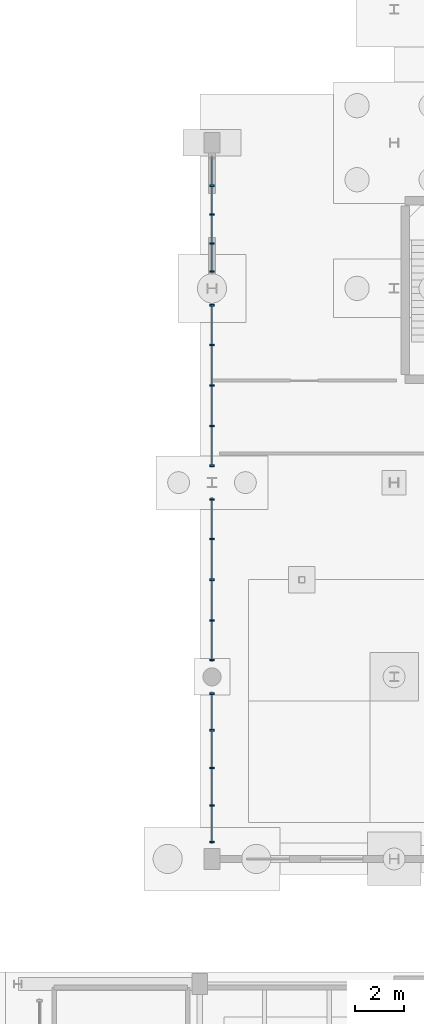
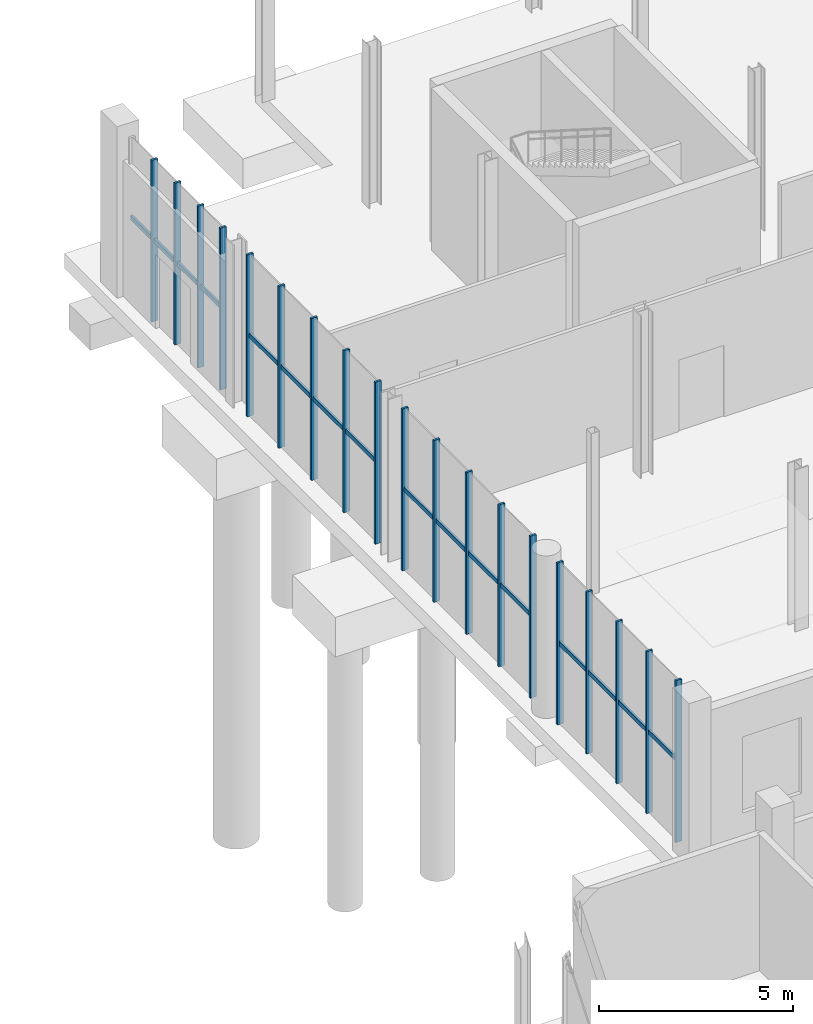
# One storey, part 38 of 87: 35 members, 4 elements without a shape of their own.
"""IFC4 building model written with IfcOpenShell, lengths in metres."""

from ifc_helpers import new_model, si_unit, direction, frame, origin, origin_2d, place, context, subcontext, project, spatial, rectangle, extrude, material, material_profile, profile_set, type_object, element, aggregate, save


model = new_model("IFC4")

# Units and contexts
model_context = context("Model", 3, precision=1e-05, world=origin(), true_north=direction((0.0, 1.0)))
body_context = subcontext(model_context, "Body", "Model", "MODEL_VIEW")
ifc_project = project(units=[si_unit("LENGTHUNIT", "METRE"), si_unit("AREAUNIT", "SQUARE_METRE"), si_unit("VOLUMEUNIT", "CUBIC_METRE"), si_unit("PLANEANGLEUNIT", "RADIAN"), si_unit("MASSUNIT", "GRAM", prefix="KILO")], contexts=[model_context])

# Site, building, storey
site_placement = place(None, origin())
site = spatial("IfcSite", under=ifc_project, at=site_placement, CompositionType="ELEMENT")
building_placement = place(site_placement, origin())
building = spatial("IfcBuilding", under=site, at=building_placement, Name="Brisemont Oceanarium", CompositionType="ELEMENT")
storey_placement = place(building_placement, origin())
storey = spatial("IfcBuildingStorey", under=building, at=storey_placement, Name="L00", CompositionType="ELEMENT", Elevation=0.0)

# Curtain wall, members
ifc_material_1 = material(Name="Anodized Extruded Aluminum 6063-T6", Category="aluminium")
curtain_wall_type = type_object("IfcCurtainWallType", Name="CW-GAL-69X43", PredefinedType="NOTDEFINED", material=ifc_material_1)
curtain_wall_1_placement = place(storey_placement, origin())
curtain_wall_1 = element("IfcCurtainWall", 1, at=curtain_wall_1_placement, inside=storey, type_object=curtain_wall_type, Name="CW-12 curtain wall CW-V5W-W-L00-01", PredefinedType="NOTDEFINED")
ifc_material_2 = material(Name="Anodized Extruded Aluminum 6063-T6", Category="aluminium")
ifc_material_profile_1 = material_profile(ifc_material_2, rectangle(XDim=0.06494140625, YDim=0.179931640625, at=origin_2d()), Name="CWM-65X180")
ifc_profile_set_1 = profile_set([ifc_material_profile_1], Name="Anodized Extruded Aluminum 6063-T6")
member_type_1 = type_object("IfcMemberType", Name="MEM-CWM-65", PredefinedType="MULLION", material=ifc_profile_set_1)
member_1_placement = place(storey_placement, frame((16.5, 37.195068359375, 0.0), z_axis=(0.0, 0.0, 1.0), x_axis=(0.0, 1.0, 0.0)))
member_1 = element("IfcMember", 2, at=member_1_placement, type_object=member_type_1, Name="CW-V5W-W-L00-01 mullion 1", PredefinedType="MULLION", context=body_context, shape_type="SweptSolid", body=[
    extrude(rectangle(XDim=0.06494140625, YDim=0.179931640625, at=origin_2d()), origin(), (0.0, 0.0, 1.0), 5.10009765625),
])
member_2_placement = place(storey_placement, frame((16.5, 38.699951171875, 0.0), z_axis=(0.0, 0.0, 1.0), x_axis=(0.0, 1.0, 0.0)))
member_2 = element("IfcMember", 3, at=member_2_placement, type_object=member_type_1, Name="CW-V5W-W-L00-01 mullion 2", PredefinedType="MULLION", context=body_context, shape_type="SweptSolid", body=[
    extrude(rectangle(XDim=0.06494140625, YDim=0.179931640625, at=origin_2d()), origin(), (0.0, 0.0, 1.0), 5.10009765625),
])
member_3_placement = place(storey_placement, frame((16.5, 40.25, 0.0), z_axis=(0.0, 0.0, 1.0), x_axis=(0.0, 1.0, 0.0)))
member_3 = element("IfcMember", 4, at=member_3_placement, type_object=member_type_1, Name="CW-V5W-W-L00-01 mullion 3", PredefinedType="MULLION", context=body_context, shape_type="SweptSolid", body=[
    extrude(rectangle(XDim=0.06494140625, YDim=0.179931640625, at=origin_2d()), origin(), (0.0, 0.0, 1.0), 5.10009765625),
])
member_4_placement = place(storey_placement, frame((16.5, 41.800048828125, 0.0), z_axis=(0.0, 0.0, 1.0), x_axis=(0.0, 1.0, 0.0)))
member_4 = element("IfcMember", 5, at=member_4_placement, type_object=member_type_1, Name="CW-V5W-W-L00-01 mullion 4", PredefinedType="MULLION", context=body_context, shape_type="SweptSolid", body=[
    extrude(rectangle(XDim=0.06494140625, YDim=0.179931640625, at=origin_2d()), origin(), (0.0, 0.0, 1.0), 5.10009765625),
])
member_5_placement = place(storey_placement, frame((16.5, 43.304931640625, 0.0), z_axis=(0.0, 0.0, 1.0), x_axis=(0.0, 1.0, 0.0)))
member_5 = element("IfcMember", 6, at=member_5_placement, type_object=member_type_1, Name="CW-V5W-W-L00-01 mullion 5", PredefinedType="MULLION", context=body_context, shape_type="SweptSolid", body=[
    extrude(rectangle(XDim=0.06494140625, YDim=0.179931640625, at=origin_2d()), origin(), (0.0, 0.0, 1.0), 5.10009765625),
])

curtain_wall_2_placement = place(storey_placement, origin())
curtain_wall_2 = element("IfcCurtainWall", 7, at=curtain_wall_2_placement, inside=storey, type_object=curtain_wall_type, Name="CW-12 curtain wall CW-V5W-W-L00-02", PredefinedType="NOTDEFINED")
member_6_placement = place(storey_placement, frame((16.5, 44.695068359375, 0.0), z_axis=(0.0, 0.0, 1.0), x_axis=(0.0, 1.0, 0.0)))
member_6 = element("IfcMember", 8, at=member_6_placement, type_object=member_type_1, Name="CW-V5W-W-L00-02 mullion 1", PredefinedType="MULLION", context=body_context, shape_type="SweptSolid", body=[
    extrude(rectangle(XDim=0.06494140625, YDim=0.179931640625, at=origin_2d()), origin(), (0.0, 0.0, 1.0), 5.10009765625),
])
member_7_placement = place(storey_placement, frame((16.5, 46.324951171875, 0.0), z_axis=(0.0, 0.0, 1.0), x_axis=(0.0, 1.0, 0.0)))
member_7 = element("IfcMember", 9, at=member_7_placement, type_object=member_type_1, Name="CW-V5W-W-L00-02 mullion 2", PredefinedType="MULLION", context=body_context, shape_type="SweptSolid", body=[
    extrude(rectangle(XDim=0.06494140625, YDim=0.179931640625, at=origin_2d()), origin(), (0.0, 0.0, 1.0), 5.10009765625),
])
member_8_placement = place(storey_placement, frame((16.5, 48.0, 0.0), z_axis=(0.0, 0.0, 1.0), x_axis=(0.0, 1.0, 0.0)))
member_8 = element("IfcMember", 10, at=member_8_placement, type_object=member_type_1, Name="CW-V5W-W-L00-02 mullion 3", PredefinedType="MULLION", context=body_context, shape_type="SweptSolid", body=[
    extrude(rectangle(XDim=0.06494140625, YDim=0.179931640625, at=origin_2d()), origin(), (0.0, 0.0, 1.0), 5.10009765625),
])
member_9_placement = place(storey_placement, frame((16.5, 49.675048828125, 0.0), z_axis=(0.0, 0.0, 1.0), x_axis=(0.0, 1.0, 0.0)))
member_9 = element("IfcMember", 11, at=member_9_placement, type_object=member_type_1, Name="CW-V5W-W-L00-02 mullion 4", PredefinedType="MULLION", context=body_context, shape_type="SweptSolid", body=[
    extrude(rectangle(XDim=0.06494140625, YDim=0.179931640625, at=origin_2d()), origin(), (0.0, 0.0, 1.0), 5.10009765625),
])
member_10_placement = place(storey_placement, frame((16.5, 51.304931640625, 0.0), z_axis=(0.0, 0.0, 1.0), x_axis=(0.0, 1.0, 0.0)))
member_10 = element("IfcMember", 12, at=member_10_placement, type_object=member_type_1, Name="CW-V5W-W-L00-02 mullion 5", PredefinedType="MULLION", context=body_context, shape_type="SweptSolid", body=[
    extrude(rectangle(XDim=0.06494140625, YDim=0.179931640625, at=origin_2d()), origin(), (0.0, 0.0, 1.0), 5.10009765625),
])

curtain_wall_3_placement = place(storey_placement, origin())
curtain_wall_3 = element("IfcCurtainWall", 13, at=curtain_wall_3_placement, inside=storey, type_object=curtain_wall_type, Name="CW-12 curtain wall CW-V5W-W-L00-03", PredefinedType="NOTDEFINED")
member_11_placement = place(storey_placement, frame((16.5, 52.695068359375, 0.0), z_axis=(0.0, 0.0, 1.0), x_axis=(0.0, 1.0, 0.0)))
member_11 = element("IfcMember", 14, at=member_11_placement, type_object=member_type_1, Name="CW-V5W-W-L00-03 mullion 1", PredefinedType="MULLION", context=body_context, shape_type="SweptSolid", body=[
    extrude(rectangle(XDim=0.06494140625, YDim=0.179931640625, at=origin_2d()), origin(), (0.0, 0.0, 1.0), 5.10009765625),
])
member_12_placement = place(storey_placement, frame((16.5, 54.324951171875, 0.0), z_axis=(0.0, 0.0, 1.0), x_axis=(0.0, 1.0, 0.0)))
member_12 = element("IfcMember", 15, at=member_12_placement, type_object=member_type_1, Name="CW-V5W-W-L00-03 mullion 2", PredefinedType="MULLION", context=body_context, shape_type="SweptSolid", body=[
    extrude(rectangle(XDim=0.06494140625, YDim=0.179931640625, at=origin_2d()), origin(), (0.0, 0.0, 1.0), 5.10009765625),
])
member_13_placement = place(storey_placement, frame((16.5, 56.0, 0.0), z_axis=(0.0, 0.0, 1.0), x_axis=(0.0, 1.0, 0.0)))
member_13 = element("IfcMember", 16, at=member_13_placement, type_object=member_type_1, Name="CW-V5W-W-L00-03 mullion 3", PredefinedType="MULLION", context=body_context, shape_type="SweptSolid", body=[
    extrude(rectangle(XDim=0.06494140625, YDim=0.179931640625, at=origin_2d()), origin(), (0.0, 0.0, 1.0), 5.10009765625),
])
member_14_placement = place(storey_placement, frame((16.5, 57.675048828125, 0.0), z_axis=(0.0, 0.0, 1.0), x_axis=(0.0, 1.0, 0.0)))
member_14 = element("IfcMember", 17, at=member_14_placement, type_object=member_type_1, Name="CW-V5W-W-L00-03 mullion 4", PredefinedType="MULLION", context=body_context, shape_type="SweptSolid", body=[
    extrude(rectangle(XDim=0.06494140625, YDim=0.179931640625, at=origin_2d()), origin(), (0.0, 0.0, 1.0), 5.10009765625),
])
member_15_placement = place(storey_placement, frame((16.5, 59.304931640625, 0.0), z_axis=(0.0, 0.0, 1.0), x_axis=(0.0, 1.0, 0.0)))
member_15 = element("IfcMember", 18, at=member_15_placement, type_object=member_type_1, Name="CW-V5W-W-L00-03 mullion 5", PredefinedType="MULLION", context=body_context, shape_type="SweptSolid", body=[
    extrude(rectangle(XDim=0.06494140625, YDim=0.179931640625, at=origin_2d()), origin(), (0.0, 0.0, 1.0), 5.10009765625),
])

curtain_wall_4_placement = place(storey_placement, origin())
curtain_wall_4 = element("IfcCurtainWall", 19, at=curtain_wall_4_placement, inside=storey, type_object=curtain_wall_type, Name="CW-12 curtain wall CW-V5W-W-L00-04", PredefinedType="NOTDEFINED")
member_16_placement = place(storey_placement, frame((16.5, 60.695068359375, 0.0), z_axis=(0.0, 0.0, 1.0), x_axis=(0.0, 1.0, 0.0)))
member_16 = element("IfcMember", 20, at=member_16_placement, type_object=member_type_1, Name="CW-V5W-W-L00-04 mullion 1", PredefinedType="MULLION", context=body_context, shape_type="SweptSolid", body=[
    extrude(rectangle(XDim=0.06494140625, YDim=0.179931640625, at=origin_2d()), origin(), (0.0, 0.0, 1.0), 5.10009765625),
])
member_17_placement = place(storey_placement, frame((16.5, 61.842529296875, 0.0), z_axis=(0.0, 0.0, 1.0), x_axis=(0.0, 1.0, 0.0)))
member_17 = element("IfcMember", 21, at=member_17_placement, type_object=member_type_1, Name="CW-V5W-W-L00-04 mullion 2", PredefinedType="MULLION", context=body_context, shape_type="SweptSolid", body=[
    extrude(rectangle(XDim=0.06494140625, YDim=0.179931640625, at=origin_2d()), origin(), (0.0, 0.0, 1.0), 5.10009765625),
])
member_18_placement = place(storey_placement, frame((16.5, 63.034912109375, 0.0), z_axis=(0.0, 0.0, 1.0), x_axis=(0.0, 1.0, 0.0)))
member_18 = element("IfcMember", 22, at=member_18_placement, type_object=member_type_1, Name="CW-V5W-W-L00-04 mullion 3", PredefinedType="MULLION", context=body_context, shape_type="SweptSolid", body=[
    extrude(rectangle(XDim=0.06494140625, YDim=0.179931640625, at=origin_2d()), origin(), (0.0, 0.0, 1.0), 5.10009765625),
])
member_19_placement = place(storey_placement, frame((16.5, 64.2275390625, 0.0), z_axis=(0.0, 0.0, 1.0), x_axis=(0.0, 1.0, 0.0)))
member_19 = element("IfcMember", 23, at=member_19_placement, type_object=member_type_1, Name="CW-V5W-W-L00-04 mullion 4", PredefinedType="MULLION", context=body_context, shape_type="SweptSolid", body=[
    extrude(rectangle(XDim=0.06494140625, YDim=0.179931640625, at=origin_2d()), origin(), (0.0, 0.0, 1.0), 5.10009765625),
])

# Member
ifc_material_3 = material(Name="Anodized Extruded Aluminum 6063-T6", Category="aluminium")
ifc_material_profile_2 = material_profile(ifc_material_3, rectangle(XDim=0.06494140625, YDim=0.139892578125, at=origin_2d()), Name="CWT-65X140")
ifc_profile_set_2 = profile_set([ifc_material_profile_2], Name="Anodized Extruded Aluminum 6063-T6")
member_type_2 = type_object("IfcMemberType", Name="MEM-CWT-65", PredefinedType="USERDEFINED", material=ifc_profile_set_2)
member_20_placement = place(storey_placement, frame((16.5, 37.1650390625, 2.550048828125), z_axis=(0.0, 1.0, 0.0), x_axis=(-1.0, 0.0, 0.0)))
member_20 = element("IfcMember", 24, at=member_20_placement, type_object=member_type_2, Name="CW-V5W-W-L00-01 transom 1.1", ObjectType="TRANSOM", PredefinedType="USERDEFINED", context=body_context, shape_type="SweptSolid", body=[
    extrude(rectangle(XDim=0.06494140625, YDim=0.139892578125, at=origin_2d()), origin(), (0.0, 0.0, 1.0), 1.52001953125),
])

member_21_placement = place(storey_placement, frame((16.5, 38.715087890625, 2.550048828125), z_axis=(0.0, 1.0, 0.0), x_axis=(-1.0, 0.0, 0.0)))
member_21 = element("IfcMember", 25, at=member_21_placement, type_object=member_type_2, Name="CW-V5W-W-L00-01 transom 2.1", ObjectType="TRANSOM", PredefinedType="USERDEFINED", context=body_context, shape_type="SweptSolid", body=[
    extrude(rectangle(XDim=0.06494140625, YDim=0.139892578125, at=origin_2d()), origin(), (0.0, 0.0, 1.0), 1.52001953125),
])

member_22_placement = place(storey_placement, frame((16.5, 40.264892578125, 2.550048828125), z_axis=(0.0, 1.0, 0.0), x_axis=(-1.0, 0.0, 0.0)))
member_22 = element("IfcMember", 26, at=member_22_placement, type_object=member_type_2, Name="CW-V5W-W-L00-01 transom 3.1", ObjectType="TRANSOM", PredefinedType="USERDEFINED", context=body_context, shape_type="SweptSolid", body=[
    extrude(rectangle(XDim=0.06494140625, YDim=0.139892578125, at=origin_2d()), origin(), (0.0, 0.0, 1.0), 1.52001953125),
])

member_23_placement = place(storey_placement, frame((16.5, 41.81494140625, 2.550048828125), z_axis=(0.0, 1.0, 0.0), x_axis=(-1.0, 0.0, 0.0)))
member_23 = element("IfcMember", 27, at=member_23_placement, type_object=member_type_2, Name="CW-V5W-W-L00-01 transom 4.1", ObjectType="TRANSOM", PredefinedType="USERDEFINED", context=body_context, shape_type="SweptSolid", body=[
    extrude(rectangle(XDim=0.06494140625, YDim=0.139892578125, at=origin_2d()), origin(), (0.0, 0.0, 1.0), 1.52001953125),
])

aggregate(curtain_wall_1, [member_1, member_2, member_3, member_4, member_5, member_20, member_21, member_22, member_23])

member_24_placement = place(storey_placement, frame((16.5, 44.6650390625, 2.550048828125), z_axis=(0.0, 1.0, 0.0), x_axis=(-1.0, 0.0, 0.0)))
member_24 = element("IfcMember", 28, at=member_24_placement, type_object=member_type_2, Name="CW-V5W-W-L00-02 transom 1.1", ObjectType="TRANSOM", PredefinedType="USERDEFINED", context=body_context, shape_type="SweptSolid", body=[
    extrude(rectangle(XDim=0.06494140625, YDim=0.139892578125, at=origin_2d()), origin(), (0.0, 0.0, 1.0), 1.64501953125),
])

member_25_placement = place(storey_placement, frame((16.5, 46.340087890625, 2.550048828125), z_axis=(0.0, 1.0, 0.0), x_axis=(-1.0, 0.0, 0.0)))
member_25 = element("IfcMember", 29, at=member_25_placement, type_object=member_type_2, Name="CW-V5W-W-L00-02 transom 2.1", ObjectType="TRANSOM", PredefinedType="USERDEFINED", context=body_context, shape_type="SweptSolid", body=[
    extrude(rectangle(XDim=0.06494140625, YDim=0.139892578125, at=origin_2d()), origin(), (0.0, 0.0, 1.0), 1.64501953125),
])

member_26_placement = place(storey_placement, frame((16.5, 48.014892578125, 2.550048828125), z_axis=(0.0, 1.0, 0.0), x_axis=(-1.0, 0.0, 0.0)))
member_26 = element("IfcMember", 30, at=member_26_placement, type_object=member_type_2, Name="CW-V5W-W-L00-02 transom 3.1", ObjectType="TRANSOM", PredefinedType="USERDEFINED", context=body_context, shape_type="SweptSolid", body=[
    extrude(rectangle(XDim=0.06494140625, YDim=0.139892578125, at=origin_2d()), origin(), (0.0, 0.0, 1.0), 1.64501953125),
])

member_27_placement = place(storey_placement, frame((16.5, 49.68994140625, 2.550048828125), z_axis=(0.0, 1.0, 0.0), x_axis=(-1.0, 0.0, 0.0)))
member_27 = element("IfcMember", 31, at=member_27_placement, type_object=member_type_2, Name="CW-V5W-W-L00-02 transom 4.1", ObjectType="TRANSOM", PredefinedType="USERDEFINED", context=body_context, shape_type="SweptSolid", body=[
    extrude(rectangle(XDim=0.06494140625, YDim=0.139892578125, at=origin_2d()), origin(), (0.0, 0.0, 1.0), 1.64501953125),
])

aggregate(curtain_wall_2, [member_6, member_7, member_8, member_9, member_10, member_24, member_25, member_26, member_27])

member_28_placement = place(storey_placement, frame((16.5, 52.6650390625, 2.550048828125), z_axis=(0.0, 1.0, 0.0), x_axis=(-1.0, 0.0, 0.0)))
member_28 = element("IfcMember", 32, at=member_28_placement, type_object=member_type_2, Name="CW-V5W-W-L00-03 transom 1.1", ObjectType="TRANSOM", PredefinedType="USERDEFINED", context=body_context, shape_type="SweptSolid", body=[
    extrude(rectangle(XDim=0.06494140625, YDim=0.139892578125, at=origin_2d()), origin(), (0.0, 0.0, 1.0), 1.64501953125),
])

member_29_placement = place(storey_placement, frame((16.5, 54.340087890625, 2.550048828125), z_axis=(0.0, 1.0, 0.0), x_axis=(-1.0, 0.0, 0.0)))
member_29 = element("IfcMember", 33, at=member_29_placement, type_object=member_type_2, Name="CW-V5W-W-L00-03 transom 2.1", ObjectType="TRANSOM", PredefinedType="USERDEFINED", context=body_context, shape_type="SweptSolid", body=[
    extrude(rectangle(XDim=0.06494140625, YDim=0.139892578125, at=origin_2d()), origin(), (0.0, 0.0, 1.0), 1.64501953125),
])

member_30_placement = place(storey_placement, frame((16.5, 56.014892578125, 2.550048828125), z_axis=(0.0, 1.0, 0.0), x_axis=(-1.0, 0.0, 0.0)))
member_30 = element("IfcMember", 34, at=member_30_placement, type_object=member_type_2, Name="CW-V5W-W-L00-03 transom 3.1", ObjectType="TRANSOM", PredefinedType="USERDEFINED", context=body_context, shape_type="SweptSolid", body=[
    extrude(rectangle(XDim=0.06494140625, YDim=0.139892578125, at=origin_2d()), origin(), (0.0, 0.0, 1.0), 1.64501953125),
])

member_31_placement = place(storey_placement, frame((16.5, 57.68994140625, 2.550048828125), z_axis=(0.0, 1.0, 0.0), x_axis=(-1.0, 0.0, 0.0)))
member_31 = element("IfcMember", 35, at=member_31_placement, type_object=member_type_2, Name="CW-V5W-W-L00-03 transom 4.1", ObjectType="TRANSOM", PredefinedType="USERDEFINED", context=body_context, shape_type="SweptSolid", body=[
    extrude(rectangle(XDim=0.06494140625, YDim=0.139892578125, at=origin_2d()), origin(), (0.0, 0.0, 1.0), 1.64501953125),
])

aggregate(curtain_wall_3, [member_11, member_12, member_13, member_14, member_15, member_28, member_29, member_30, member_31])

member_32_placement = place(storey_placement, frame((16.5, 60.6650390625, 2.550048828125), z_axis=(0.0, 1.0, 0.0), x_axis=(-1.0, 0.0, 0.0)))
member_32 = element("IfcMember", 36, at=member_32_placement, type_object=member_type_2, Name="CW-V5W-W-L00-04 transom 1.1", ObjectType="TRANSOM", PredefinedType="USERDEFINED", context=body_context, shape_type="SweptSolid", body=[
    extrude(rectangle(XDim=0.06494140625, YDim=0.139892578125, at=origin_2d()), origin(), (0.0, 0.0, 1.0), 1.162353515625),
])

member_33_placement = place(storey_placement, frame((16.5, 61.857421875, 2.550048828125), z_axis=(0.0, 1.0, 0.0), x_axis=(-1.0, 0.0, 0.0)))
member_33 = element("IfcMember", 37, at=member_33_placement, type_object=member_type_2, Name="CW-V5W-W-L00-04 transom 2.1", ObjectType="TRANSOM", PredefinedType="USERDEFINED", context=body_context, shape_type="SweptSolid", body=[
    extrude(rectangle(XDim=0.06494140625, YDim=0.139892578125, at=origin_2d()), origin(), (0.0, 0.0, 1.0), 1.16259765625),
])

member_34_placement = place(storey_placement, frame((16.5, 63.050048828125, 2.550048828125), z_axis=(0.0, 1.0, 0.0), x_axis=(-1.0, 0.0, 0.0)))
member_34 = element("IfcMember", 38, at=member_34_placement, type_object=member_type_2, Name="CW-V5W-W-L00-04 transom 3.1", ObjectType="TRANSOM", PredefinedType="USERDEFINED", context=body_context, shape_type="SweptSolid", body=[
    extrude(rectangle(XDim=0.06494140625, YDim=0.139892578125, at=origin_2d()), origin(), (0.0, 0.0, 1.0), 1.162353515625),
])

member_35_placement = place(storey_placement, frame((16.5, 64.242431640625, 2.550048828125), z_axis=(0.0, 1.0, 0.0), x_axis=(-1.0, 0.0, 0.0)))
member_35 = element("IfcMember", 39, at=member_35_placement, type_object=member_type_2, Name="CW-V5W-W-L00-04 transom 4.1", ObjectType="TRANSOM", PredefinedType="USERDEFINED", context=body_context, shape_type="SweptSolid", body=[
    extrude(rectangle(XDim=0.06494140625, YDim=0.139892578125, at=origin_2d()), origin(), (0.0, 0.0, 1.0), 1.16259765625),
])

aggregate(curtain_wall_4, [member_16, member_17, member_18, member_19, member_32, member_33, member_34, member_35])

save(model, "model.ifc")
